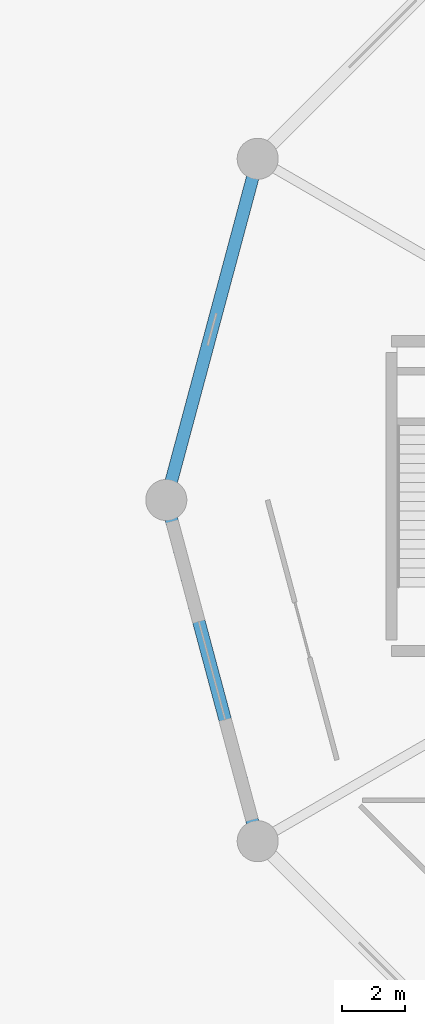
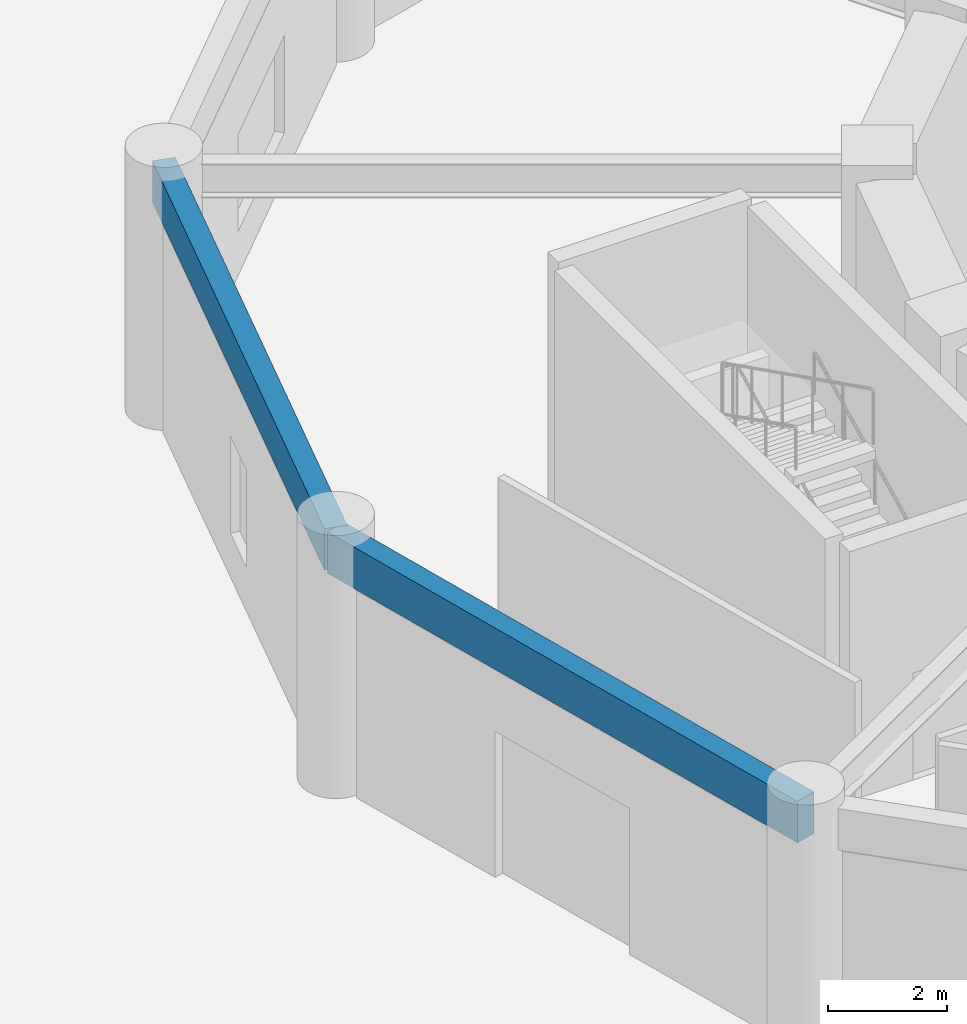
# One storey, part 22 of 140: 2 beams.
"""IFC4 building model written with IfcOpenShell, lengths in metres."""

from ifc_helpers import new_model, si_unit, direction, frame, origin, origin_2d, place, context, subcontext, project, spatial, rectangle, extrude, material, material_profile, profile_set, type_object, element, save


model = new_model("IFC4")

# Units and contexts
model_context = context("Model", 3, precision=1e-05, world=origin(), true_north=direction((0.0, 1.0)))
body_context = subcontext(model_context, "Body", "Model", "MODEL_VIEW")
ifc_project = project(units=[si_unit("LENGTHUNIT", "METRE"), si_unit("AREAUNIT", "SQUARE_METRE"), si_unit("VOLUMEUNIT", "CUBIC_METRE"), si_unit("PLANEANGLEUNIT", "RADIAN"), si_unit("MASSUNIT", "GRAM", prefix="KILO")], contexts=[model_context])

# Site, building, storey
site_placement = place(None, origin())
site = spatial("IfcSite", under=ifc_project, at=site_placement, CompositionType="ELEMENT")
building_placement = place(site_placement, origin())
building = spatial("IfcBuilding", under=site, at=building_placement, Name="Haizhuo Lancet Aquarium", CompositionType="ELEMENT")
storey_placement = place(building_placement, origin())
storey = spatial("IfcBuildingStorey", under=building, at=storey_placement, Name="L00", CompositionType="ELEMENT", Elevation=0.0)

# Beams
ifc_material = material(Name="Concrete C40/50", Category="concrete")
ifc_material_profile = material_profile(ifc_material, rectangle(XDim=0.39990234375, YDim=0.85009765625, at=origin_2d()), Name="RC-SP 400x850")
ifc_profile_set = profile_set([ifc_material_profile], Name="Concrete C40/50")
beam_type = type_object("IfcBeamType", Name="SPN-RC-400x850", PredefinedType="SPANDREL", material=ifc_profile_set)
for number, where, z_axis, x_axis, name in (
    (1, (-18.7060546875, 10.800048828125, 4.695068359375), (-0.258833949056, -0.965921832664, 0.0), (0.965921832664, -0.258833949056, 0.0), "L00 drum perimeter spandrel 6"),
    (2, (-21.60009765625, 0.0, 4.695068359375), (0.258833949056, -0.965921832664, 0.0), (0.965921832664, 0.258833949056, 0.0), "L00 drum perimeter spandrel 7"),
):
    element("IfcBeam", number, at=place(storey_placement, frame(where, z_axis=z_axis, x_axis=x_axis)), inside=storey, type_object=beam_type, Name=name, PredefinedType="SPANDREL", context=body_context, shape_type="SweptSolid", body=[
        extrude(rectangle(XDim=0.39990234375, YDim=0.85009765625, at=origin_2d()), origin(), (0.0, 0.0, 1.0), 11.18115234375),
    ])

save(model, "model.ifc")
